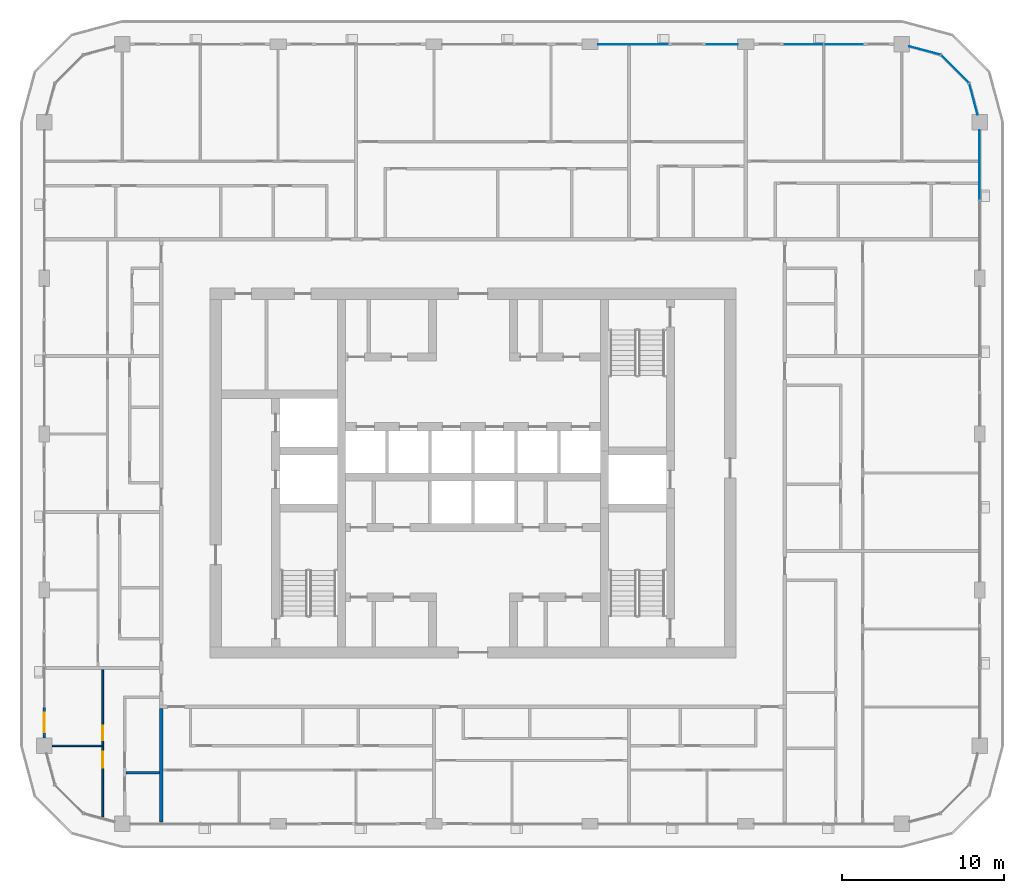
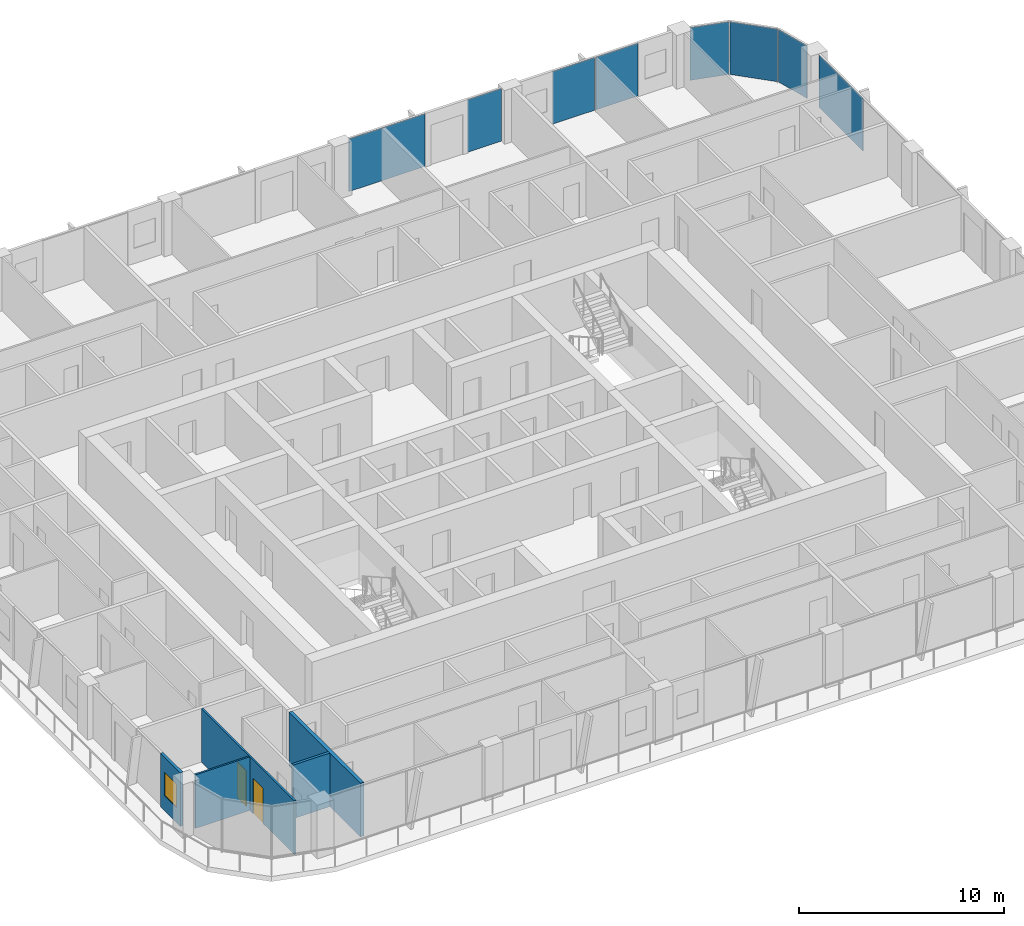
# One storey, part 8 of 23: 8 plates, 5 walls, 2 doors, 1 window, 3 openings, 4 elements without a shape of their own.
"""IFC4 building model written with IfcOpenShell, lengths in metres."""

from ifc_helpers import new_model, si_unit, direction, frame, frame_2d, origin, origin_2d, place, context, subcontext, project, spatial, rectangle, extrude, material, layer, layer_set, type_object, element, fill, aggregate, save


model = new_model("IFC4")

# Units and contexts
model_context = context("Model", 3, precision=1e-05, world=origin(), true_north=direction((0.0, 1.0)))
body_context = subcontext(model_context, "Body", "Model", "MODEL_VIEW")
ifc_project = project(units=[si_unit("LENGTHUNIT", "METRE"), si_unit("AREAUNIT", "SQUARE_METRE"), si_unit("VOLUMEUNIT", "CUBIC_METRE"), si_unit("PLANEANGLEUNIT", "RADIAN"), si_unit("MASSUNIT", "GRAM", prefix="KILO")], contexts=[model_context])

# Site, building, storey
site_placement = place(None, origin())
site = spatial("IfcSite", under=ifc_project, at=site_placement, CompositionType="ELEMENT")
building_placement = place(site_placement, origin())
building = spatial("IfcBuilding", under=site, at=building_placement, Name="Madar Terraces", CompositionType="ELEMENT")
storey_placement = place(building_placement, frame((0.0, 0.0, 212.300048828125)))
storey = spatial("IfcBuildingStorey", under=building, at=storey_placement, Name="L55", CompositionType="ELEMENT", Elevation=212.300048828125)

# Curtain wall, plate
ifc_material_1 = material(Name="Glass, ceramic frit dark grey, with black aluminium frame", Category="aluminium")
ifc_layer_1 = layer(ifc_material_1, 0.199951171875)
ifc_layer_set_1 = layer_set([ifc_layer_1], Name="Facade curtain wall, fritted glass")
curtain_wall_type = type_object("IfcCurtainWallType", Name="Facade curtain wall, fritted glass", PredefinedType="NOTDEFINED", material=ifc_layer_set_1)
curtain_wall_1_placement = place(storey_placement, origin())
curtain_wall_1 = element("IfcCurtainWall", 1, at=curtain_wall_1_placement, inside=storey, type_object=curtain_wall_type, Name="Outer skin curtain wall east bay 4", PredefinedType="NOTDEFINED")
ifc_material_2 = material(Name="Glass, ceramic frit dark grey", Category="glass")
ifc_layer_2 = layer(ifc_material_2, 0.028076171875)
ifc_layer_set_2 = layer_set([ifc_layer_2], Name="Facade glass panel 28")
plate_type = type_object("IfcPlateType", Name="Facade glass panel 28", PredefinedType="CURTAIN_PANEL", material=ifc_layer_set_2)
plate_1_placement = place(storey_placement, frame((62.39990234375, 45.37744140625, 0.0), z_axis=(0.0, 0.0, 1.0), x_axis=(0.0, 1.0, 0.0)))
plate_1 = element("IfcPlate", 2, at=plate_1_placement, type_object=plate_type, Name="Panel 2", PredefinedType="CURTAIN_PANEL", context=body_context, shape_type="SweptSolid", body=[
    extrude(rectangle(XDim=4.294921875, YDim=0.028076171875, at=origin_2d()), origin(), (0.0, 0.0, 1.0), 3.139892578125),
])
aggregate(curtain_wall_1, [plate_1])

# Curtain wall, plates
curtain_wall_2_placement = place(storey_placement, origin())
curtain_wall_2 = element("IfcCurtainWall", 3, at=curtain_wall_2_placement, inside=storey, type_object=curtain_wall_type, Name="Outer skin curtain wall north bay 1", PredefinedType="NOTDEFINED")
plate_2_placement = place(storey_placement, frame((54.014892578125, 52.800048828125, 0.0), z_axis=(0.0, 0.0, 1.0), x_axis=(-1.0, 0.0, 0.0)))
plate_2 = element("IfcPlate", 4, at=plate_2_placement, type_object=plate_type, Name="Panel 1", PredefinedType="CURTAIN_PANEL", context=body_context, shape_type="SweptSolid", body=[
    extrude(rectangle(XDim=2.3701171875, YDim=0.028076171875, at=origin_2d()), origin(), (0.0, 0.0, 1.0), 3.139892578125),
])
plate_3_placement = place(storey_placement, frame((51.5849609375, 52.800048828125, 0.0), z_axis=(0.0, 0.0, 1.0), x_axis=(-1.0, 0.0, 0.0)))
plate_3 = element("IfcPlate", 5, at=plate_3_placement, type_object=plate_type, Name="Panel 2", PredefinedType="CURTAIN_PANEL", context=body_context, shape_type="SweptSolid", body=[
    extrude(rectangle(XDim=2.3701171875, YDim=0.028076171875, at=origin_2d()), origin(), (0.0, 0.0, 1.0), 3.139892578125),
])
aggregate(curtain_wall_2, [plate_2, plate_3])

curtain_wall_3_placement = place(storey_placement, origin())
curtain_wall_3 = element("IfcCurtainWall", 6, at=curtain_wall_3_placement, inside=storey, type_object=curtain_wall_type, Name="Outer skin curtain wall north bay 2", PredefinedType="NOTDEFINED")
plate_4_placement = place(storey_placement, frame((46.550048828125, 52.800048828125, 0.0), z_axis=(0.0, 0.0, 1.0), x_axis=(-1.0, 0.0, 0.0)))
plate_4 = element("IfcPlate", 7, at=plate_4_placement, type_object=plate_type, Name="Panel 1", PredefinedType="CURTAIN_PANEL", context=body_context, shape_type="SweptSolid", body=[
    extrude(rectangle(XDim=1.89990234375, YDim=0.028076171875, at=origin_2d()), origin(), (0.0, 0.0, 1.0), 3.139892578125),
])
plate_5_placement = place(storey_placement, frame((41.050048828125, 52.800048828125, 0.0), z_axis=(0.0, 0.0, 1.0), x_axis=(-1.0, 0.0, 0.0)))
plate_5 = element("IfcPlate", 8, at=plate_5_placement, type_object=plate_type, Name="Panel 2", PredefinedType="CURTAIN_PANEL", context=body_context, shape_type="SweptSolid", body=[
    extrude(rectangle(XDim=4.300048828125, YDim=0.028076171875, at=origin_2d()), origin(), (0.0, 0.0, 1.0), 3.139892578125),
])
aggregate(curtain_wall_3, [plate_4, plate_5])

curtain_wall_4_placement = place(storey_placement, origin())
curtain_wall_4 = element("IfcCurtainWall", 9, at=curtain_wall_4_placement, inside=storey, type_object=curtain_wall_type, Name="Outer skin curtain wall north-east corner", PredefinedType="NOTDEFINED")
plate_6_placement = place(storey_placement, frame((62.018798828125, 49.423095703125, 0.0), z_axis=(0.0, 0.0, 1.0), x_axis=(-0.258819021888, 0.965925832509, 0.0)))
plate_6 = element("IfcPlate", 10, at=plate_6_placement, type_object=plate_type, Name="Panel 1", PredefinedType="CURTAIN_PANEL", context=body_context, shape_type="SweptSolid", body=[
    extrude(rectangle(XDim=1.962890625, YDim=0.028076171875, at=origin_2d()), origin(), (0.0, 0.0, 1.0), 3.139892578125),
])
plate_7_placement = place(storey_placement, frame((60.87841796875, 51.278564453125, 0.0), z_axis=(0.0, 0.0, 1.0), x_axis=(-0.707106781187, 0.707106781187, 0.0)))
plate_7 = element("IfcPlate", 11, at=plate_7_placement, type_object=plate_type, Name="Panel 2", PredefinedType="CURTAIN_PANEL", context=body_context, shape_type="SweptSolid", body=[
    extrude(rectangle(XDim=2.424560546875, YDim=0.028076171875, at=origin_2d()), origin(), (0.0, 0.0, 1.0), 3.139892578125),
])
plate_8_placement = place(storey_placement, frame((59.02294921875, 52.418701171875, 0.0), z_axis=(0.0, 0.0, 1.0), x_axis=(-0.965925832509, 0.258819021888, 0.0)))
plate_8 = element("IfcPlate", 12, at=plate_8_placement, type_object=plate_type, Name="Panel 3", PredefinedType="CURTAIN_PANEL", context=body_context, shape_type="SweptSolid", body=[
    extrude(rectangle(XDim=1.962890625, YDim=0.028076171875, at=origin_2d()), origin(), (0.0, 0.0, 1.0), 3.139892578125),
])
aggregate(curtain_wall_4, [plate_6, plate_7, plate_8])

# Wall, opening, window
ifc_material_3 = material(Name="Aluminium composite panel, black, over insulated backing", Category="aluminium")
ifc_layer_3 = layer(ifc_material_3, 0.14990234375)
ifc_layer_set_3 = layer_set([ifc_layer_3], Name="Facade bay panel 150")
wall_type_1 = type_object("IfcWallType", Name="Facade bay panel 150", PredefinedType="SOLIDWALL", material=ifc_layer_set_3)
wall_1_placement = place(storey_placement, frame((4.800048828125, 12.0, 0.0), z_axis=(0.0, 0.0, 1.0), x_axis=(0.0, -1.0, 0.0)))
wall_1 = element("IfcWall", 13, at=wall_1_placement, inside=storey, type_object=wall_type_1, Name="Facade bay panel", PredefinedType="SOLIDWALL", context=body_context, shape_type="SweptSolid", body=[
    extrude(rectangle(XDim=1.925048828125, YDim=0.14990234375, at=frame_2d((0.96240234375, 0.0))), origin(), (0.0, 0.0, 1.0), 3.199951171875),
])
opening_1_placement = place(wall_1_placement, frame((0.362548828125, 0.0, 0.89990234375)))
opening_1 = element("IfcOpeningElement", 14, at=opening_1_placement, cuts=wall_1, Name="Opening W1", PredefinedType="OPENING", context=body_context, shape_type="SweptSolid", body=[
    extrude(rectangle(XDim=1.199951171875, YDim=1.39990234375, at=frame_2d((0.60009765625, 0.699951171875))), frame((0.0, 0.0849609375, 0.0), z_axis=(0.0, -1.0, 0.0), x_axis=(1.0, 0.0, 0.0)), (0.0, 0.0, 1.0), 0.169921875),
])
ifc_material_4 = material(Name="Glass, clear, with black aluminium frame", Category="aluminium")
window_type = type_object("IfcWindowType", Name="Vent window 1200 x 1400", PartitioningType="SINGLE_PANEL", PredefinedType="WINDOW", material=ifc_material_4)
window_placement = place(opening_1_placement, origin())
window = element("IfcWindow", 15, at=window_placement, inside=storey, type_object=window_type, Name="Operable vent window", OverallHeight=1.39990234375, OverallWidth=1.199951171875, PartitioningType="SINGLE_PANEL", PredefinedType="WINDOW", context=body_context, shape_type="SweptSolid", body=[
    extrude(rectangle(XDim=1.199951171875, YDim=1.39990234375, at=frame_2d((0.60009765625, 0.699951171875))), frame((0.0, 0.030029296875, 0.0), z_axis=(0.0, -1.0, 0.0), x_axis=(1.0, 0.0, 0.0)), (0.0, 0.0, 1.0), 0.06005859375),
])
fill(opening_1, window)

# Wall
ifc_material_5 = material(Name="Gypsum board on steel studs", Category="steel")
ifc_layer_4 = layer(ifc_material_5, 0.10009765625)
ifc_layer_set_4 = layer_set([ifc_layer_4], Name="Flat partition 100")
wall_type_2 = type_object("IfcWallType", Name="Flat partition 100", PredefinedType="PARTITIONING", material=ifc_layer_set_4)
wall_2_placement = place(storey_placement, frame((8.35009765625, 9.60009765625, 0.0), z_axis=(0.0, 0.0, 1.0), x_axis=(-1.0, 0.0, 0.0)))
element("IfcWall", 16, at=wall_2_placement, inside=storey, type_object=wall_type_2, Name="Flat partition 100", PredefinedType="PARTITIONING", context=body_context, shape_type="SweptSolid", body=[
    extrude(rectangle(XDim=3.0751953125, YDim=0.10009765625, at=frame_2d((1.53759765625, 0.0))), origin(), (0.0, 0.0, 1.0), 3.199951171875),
])

# Wall, openings, doors
wall_3_placement = place(storey_placement, frame((8.39990234375, 5.221435546875, 0.0), z_axis=(0.0, 0.0, 1.0), x_axis=(0.0, 1.0, 0.0)))
wall_3 = element("IfcWall", 17, at=wall_3_placement, inside=storey, type_object=wall_type_2, Name="Flat partition 100", PredefinedType="PARTITIONING", context=body_context, shape_type="SweptSolid", body=[
    extrude(rectangle(XDim=9.07861328125, YDim=0.10009765625, at=frame_2d((4.539306640625, 0.0))), origin(), (0.0, 0.0, 1.0), 3.199951171875),
])
opening_2_placement = place(wall_3_placement, frame((4.728515625, 0.0, 0.0)))
opening_2 = element("IfcOpeningElement", 18, at=opening_2_placement, cuts=wall_3, Name="Opening D2", PredefinedType="OPENING", context=body_context, shape_type="SweptSolid", body=[
    extrude(rectangle(XDim=0.89990234375, YDim=2.10009765625, at=frame_2d((0.449951171875, 1.050048828125))), frame((0.0, 0.06005859375, 0.0), z_axis=(0.0, -1.0, 0.0), x_axis=(1.0, 0.0, 0.0)), (0.0, 0.0, 1.0), 0.1201171875),
])
opening_3_placement = place(wall_3_placement, frame((3.028564453125, 0.0, 0.0)))
opening_3 = element("IfcOpeningElement", 19, at=opening_3_placement, cuts=wall_3, Name="Opening D3", PredefinedType="OPENING", context=body_context, shape_type="SweptSolid", body=[
    extrude(rectangle(XDim=1.0, YDim=2.10009765625, at=frame_2d((0.5, 1.050048828125))), frame((0.0, 0.06005859375, 0.0), z_axis=(0.0, -1.0, 0.0), x_axis=(1.0, 0.0, 0.0)), (0.0, 0.0, 1.0), 0.1201171875),
])
ifc_material_6 = material(Name="Timber door leaf", Category="wood")
door_type_1 = type_object("IfcDoorType", Name="Flat living room door 1000", OperationType="NOTDEFINED", PredefinedType="DOOR", material=ifc_material_6)
door_1_placement = place(opening_3_placement, origin())
door_1 = element("IfcDoor", 20, at=door_1_placement, inside=storey, type_object=door_type_1, Name="Flat living room door 1000", OperationType="SINGLE_SWING_RIGHT", OverallHeight=2.10009765625, OverallWidth=1.0, PredefinedType="DOOR", context=body_context, shape_type="SweptSolid", body=[
    extrude(rectangle(XDim=1.0, YDim=2.10009765625, at=frame_2d((0.5, 1.050048828125))), frame((0.0, 0.02490234375, 0.0), z_axis=(0.0, -1.0, 0.0), x_axis=(1.0, 0.0, 0.0)), (0.0, 0.0, 1.0), 0.050048828125),
])
fill(opening_3, door_1)
ifc_material_7 = material(Name="Timber door leaf", Category="wood")
door_type_2 = type_object("IfcDoorType", Name="Flat room door 900", OperationType="NOTDEFINED", PredefinedType="DOOR", material=ifc_material_7)
door_2_placement = place(opening_2_placement, origin())
door_2 = element("IfcDoor", 21, at=door_2_placement, inside=storey, type_object=door_type_2, Name="Flat room door 900", OperationType="SINGLE_SWING_LEFT", OverallHeight=2.10009765625, OverallWidth=0.89990234375, PredefinedType="DOOR", context=body_context, shape_type="SweptSolid", body=[
    extrude(rectangle(XDim=0.89990234375, YDim=2.10009765625, at=frame_2d((0.449951171875, 1.050048828125))), frame((0.0, 0.02490234375, 0.0), z_axis=(0.0, -1.0, 0.0), x_axis=(1.0, 0.0, 0.0)), (0.0, 0.0, 1.0), 0.050048828125),
])
fill(opening_2, door_2)

# Walls
ifc_material_8 = material(Name="Lightweight blockwork", Category="masonry")
ifc_layer_5 = layer(ifc_material_8, 0.199951171875)
ifc_layer_set_5 = layer_set([ifc_layer_5], Name="Flat party and entrance wall 200")
wall_type_3 = type_object("IfcWallType", Name="Flat party and entrance wall 200", PredefinedType="PARTITIONING", material=ifc_layer_set_5)
wall_4_placement = place(storey_placement, frame((12.0, 4.89990234375, 0.0), z_axis=(0.0, 0.0, 1.0), x_axis=(0.0, 1.0, 0.0)))
element("IfcWall", 22, at=wall_4_placement, inside=storey, type_object=wall_type_3, Name="Flat party and entrance wall 200", PredefinedType="PARTITIONING", context=body_context, shape_type="SweptSolid", body=[
    extrude(rectangle(XDim=7.0, YDim=0.199951171875, at=frame_2d((3.5, 0.0))), origin(), (0.0, 0.0, 1.0), 3.199951171875),
])
ifc_material_9 = material(Name="Lightweight blockwork", Category="masonry")
ifc_layer_6 = layer(ifc_material_9, 0.14990234375)
ifc_layer_set_6 = layer_set([ifc_layer_6], Name="Flat wet-room partition 150")
wall_type_4 = type_object("IfcWallType", Name="Flat wet-room partition 150", PredefinedType="PARTITIONING", material=ifc_layer_set_6)
wall_5_placement = place(storey_placement, frame((11.89990234375, 7.949951171875, 0.0), z_axis=(0.0, 0.0, 1.0), x_axis=(-1.0, 0.0, 0.0)))
element("IfcWall", 23, at=wall_5_placement, inside=storey, type_object=wall_type_4, Name="Flat wet-room partition 150", PredefinedType="PARTITIONING", context=body_context, shape_type="SweptSolid", body=[
    extrude(rectangle(XDim=2.074951171875, YDim=0.14990234375, at=frame_2d((1.03759765625, 0.0))), origin(), (0.0, 0.0, 1.0), 3.199951171875),
])

save(model, "model.ifc")
